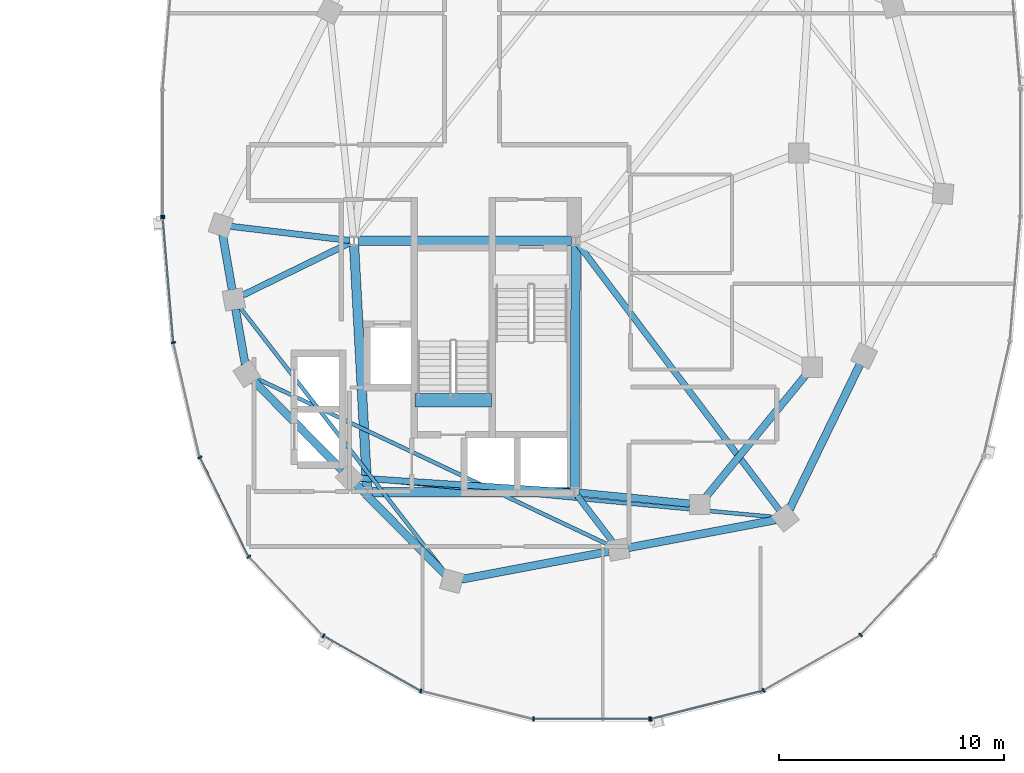
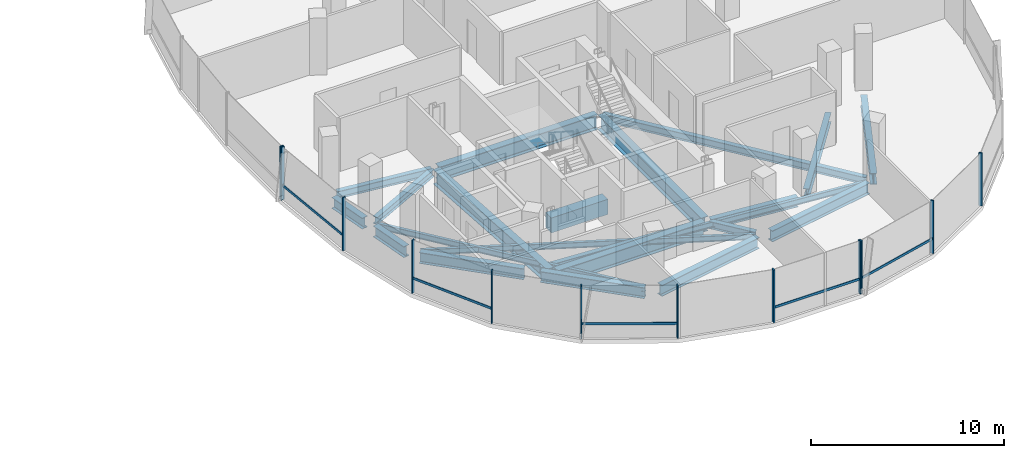
# One storey, part 8 of 25: 22 beams, 17 members, 3 elements without a shape of their own.
"""IFC4 building model written with IfcOpenShell, lengths in metres."""

from ifc_helpers import new_model, si_unit, direction, frame, origin, origin_2d, place, context, subcontext, project, spatial, rectangle, i_section, extrude, material, material_profile, profile_set, type_object, element, aggregate, save


model = new_model("IFC4")

# Units and contexts
model_context = context("Model", 3, precision=1e-05, world=origin(), true_north=direction((0.0, 1.0)))
body_context = subcontext(model_context, "Body", "Model", "MODEL_VIEW")
ifc_project = project(units=[si_unit("LENGTHUNIT", "METRE"), si_unit("AREAUNIT", "SQUARE_METRE"), si_unit("VOLUMEUNIT", "CUBIC_METRE"), si_unit("PLANEANGLEUNIT", "RADIAN"), si_unit("MASSUNIT", "GRAM", prefix="KILO"), si_unit("THERMODYNAMICTEMPERATUREUNIT", "KELVIN"), si_unit("POWERUNIT", "WATT")], contexts=[model_context])

# Site, building, storey
site_placement = place(None, origin())
site = spatial("IfcSite", under=ifc_project, at=site_placement, CompositionType="ELEMENT")
building_placement = place(site_placement, origin())
building = spatial("IfcBuilding", under=site, at=building_placement, Name="Cundina Bronze Exchange", CompositionType="ELEMENT")
storey_placement = place(building_placement, frame((0.0, 0.0, 224.199951171875)))
storey = spatial("IfcBuildingStorey", under=building, at=storey_placement, Name="L59", CompositionType="ELEMENT", Elevation=224.199951171875)

# Beams
ifc_material_1 = material(Name="Concrete C60/75", Category="concrete")
ifc_material_profile_1 = material_profile(ifc_material_1, rectangle(XDim=0.60009765625, YDim=0.949951171875, at=origin_2d()), Name="RC600X950", Category="concrete")
ifc_profile_set_1 = profile_set([ifc_material_profile_1], Name="Concrete C60/75")
beam_type_1 = type_object("IfcBeamType", Name="BM-COUP-RC950", PredefinedType="LINTEL", material=ifc_profile_set_1)
beam_1_placement = place(storey_placement, frame((24.159912109375, -10.97998046875, -0.474853515625), z_axis=(1.0, 0.0, 0.0), x_axis=(0.0, 1.0, 0.0)))
element("IfcBeam", 1, at=beam_1_placement, inside=storey, type_object=beam_type_1, Name="L59 Stair E2 Landing Header Beam", PredefinedType="LINTEL", context=body_context, shape_type="SweptSolid", body=[
    extrude(rectangle(XDim=0.60009765625, YDim=0.949951171875, at=origin_2d()), origin(), (0.0, 0.0, 1.0), 3.400146484375),
])
ifc_material_2 = material(Name="Steel ASTM A992 Grade 50", Category="steel")
ifc_material_profile_2 = material_profile(ifc_material_2, i_section(OverallWidth=0.280029296875, OverallDepth=0.462890625, WebThickness=0.0107421875, FlangeThickness=0.017333984375, FilletRadius=0.011962890625, at=origin_2d()), Name="W18X76", Category="steel")
ifc_profile_set_2 = profile_set([ifc_material_profile_2], Name="Steel ASTM A992 Grade 50")
beam_type_2 = type_object("IfcBeamType", Name="BM-FLR-W18A", PredefinedType="BEAM", material=ifc_profile_set_2)
beam_2_placement = place(storey_placement, frame((21.25537109375, -3.876953125, -0.491455078125), z_axis=(-0.993036786722, 0.117804669761, 0.0), x_axis=(-0.117804669761, -0.993036786722, 0.0)))
element("IfcBeam", 2, at=beam_2_placement, inside=storey, type_object=beam_type_2, Name="L59 Leg E Chordal Floor Beam 00", PredefinedType="BEAM", context=body_context, shape_type="SweptSolid", body=[
    extrude(i_section(OverallWidth=0.280029296875, OverallDepth=0.462890625, WebThickness=0.0107421875, FlangeThickness=0.017333984375, FilletRadius=0.011962890625, at=origin_2d()), origin(), (0.0, 0.0, 1.0), 5.307373046875),
])
beam_3_placement = place(storey_placement, frame((21.27392578125, -3.986083984375, -0.491455078125), z_axis=(-0.898613202677, -0.438741737214, 0.0), x_axis=(0.438741737214, -0.898613202677, 0.0)))
element("IfcBeam", 3, at=beam_3_placement, inside=storey, type_object=beam_type_2, Name="L59 Leg E Chordal Floor Beam 01", PredefinedType="BEAM", context=body_context, shape_type="SweptSolid", body=[
    extrude(i_section(OverallWidth=0.280029296875, OverallDepth=0.462890625, WebThickness=0.0107421875, FlangeThickness=0.017333984375, FilletRadius=0.011962890625, at=origin_2d()), origin(), (0.0, 0.0, 1.0), 5.2919921875),
])
beam_4_placement = place(storey_placement, frame((31.054443359375, -15.037353515625, -0.491455078125), z_axis=(-0.997894145252, 0.064863509559, 0.0), x_axis=(-0.064863509559, -0.997894145252, 0.0)))
element("IfcBeam", 4, at=beam_4_placement, inside=storey, type_object=beam_type_2, Name="L59 Leg E Chordal Floor Beam 03", PredefinedType="BEAM", context=body_context, shape_type="SweptSolid", body=[
    extrude(i_section(OverallWidth=0.280029296875, OverallDepth=0.462890625, WebThickness=0.0107421875, FlangeThickness=0.017333984375, FilletRadius=0.011962890625, at=origin_2d()), origin(), (0.0, 0.0, 1.0), 9.38720703125),
])
beam_5_placement = place(storey_placement, frame((31.369140625, -15.205810546875, -0.491455078125), z_axis=(0.60740437517, -0.794392802727, 0.0), x_axis=(0.794392802727, 0.60740437517, 0.0)))
element("IfcBeam", 5, at=beam_5_placement, inside=storey, type_object=beam_type_2, Name="L59 Leg E Chordal Floor Beam 05", PredefinedType="BEAM", context=body_context, shape_type="SweptSolid", body=[
    extrude(i_section(OverallWidth=0.280029296875, OverallDepth=0.462890625, WebThickness=0.0107421875, FlangeThickness=0.017333984375, FilletRadius=0.011962890625, at=origin_2d()), origin(), (0.0, 0.0, 1.0), 2.575927734375),
])
beam_6_placement = place(storey_placement, frame((31.418212890625, -4.056396484375, -0.491455078125), z_axis=(0.603104943786, -0.797661849897, 0.0), x_axis=(0.797661849897, 0.603104943786, 0.0)))
element("IfcBeam", 6, at=beam_6_placement, inside=storey, type_object=beam_type_2, Name="L59 Leg E Chordal Floor Beam 06", PredefinedType="BEAM", context=body_context, shape_type="SweptSolid", body=[
    extrude(i_section(OverallWidth=0.280029296875, OverallDepth=0.462890625, WebThickness=0.0107421875, FlangeThickness=0.017333984375, FilletRadius=0.011962890625, at=origin_2d()), origin(), (0.0, 0.0, 1.0), 14.785888671875),
])
ifc_material_profile_3 = material_profile(ifc_material_2, i_section(OverallWidth=0.172119140625, OverallDepth=0.35791015625, WebThickness=0.0078125, FlangeThickness=0.01318359375, FilletRadius=0.010009765625, at=origin_2d()), Name="W14X38", Category="steel")
ifc_profile_set_3 = profile_set([ifc_material_profile_3], Name="Steel ASTM A992 Grade 50")
beam_type_3 = type_object("IfcBeamType", Name="BM-JST-W14", PredefinedType="JOIST", material=ifc_profile_set_3)
beam_7_placement = place(storey_placement, frame((16.39306640625, -6.846435546875, -0.43896484375), z_axis=(0.612085793291, -0.790791364174, 0.0), x_axis=(0.790791364174, 0.612085793291, 0.0)))
element("IfcBeam", 7, at=beam_7_placement, inside=storey, type_object=beam_type_3, Name="L59 Leg E Lobe Floor Joist 01-04", PredefinedType="JOIST", context=body_context, shape_type="SweptSolid", body=[
    extrude(i_section(OverallWidth=0.172119140625, OverallDepth=0.35791015625, WebThickness=0.0078125, FlangeThickness=0.01318359375, FilletRadius=0.010009765625, at=origin_2d()), origin(), (0.0, 0.0, 1.0), 14.9306640625),
])
beam_8_placement = place(storey_placement, frame((17.095947265625, -9.9873046875, -0.43896484375), z_axis=(0.904073747204, -0.427376484632, 0.0), x_axis=(0.427376484632, 0.904073747204, 0.0)))
element("IfcBeam", 8, at=beam_8_placement, inside=storey, type_object=beam_type_3, Name="L59 Leg E Lobe Floor Joist 02-05", PredefinedType="JOIST", context=body_context, shape_type="SweptSolid", body=[
    extrude(i_section(OverallWidth=0.172119140625, OverallDepth=0.35791015625, WebThickness=0.0078125, FlangeThickness=0.01318359375, FilletRadius=0.010009765625, at=origin_2d()), origin(), (0.0, 0.0, 1.0), 17.374755859375),
])
beam_9_placement = place(storey_placement, frame((21.68603515625, -14.440673828125, -0.43896484375), z_axis=(0.9957017803, -0.092617302415, 0.0), x_axis=(0.092617302415, 0.9957017803, 0.0)))
element("IfcBeam", 9, at=beam_9_placement, inside=storey, type_object=beam_type_3, Name="L59 Leg E Lobe Floor Joist 03-06", PredefinedType="JOIST", context=body_context, shape_type="SweptSolid", body=[
    extrude(i_section(OverallWidth=0.172119140625, OverallDepth=0.35791015625, WebThickness=0.0078125, FlangeThickness=0.01318359375, FilletRadius=0.010009765625, at=origin_2d()), origin(), (0.0, 0.0, 1.0), 18.5576171875),
])
ifc_material_profile_4 = material_profile(ifc_material_2, i_section(OverallWidth=0.324951171875, OverallDepth=0.615966796875, WebThickness=0.013916015625, FlangeThickness=0.021484375, FilletRadius=0.01611328125, at=origin_2d()), Name="W24X117", Category="steel")
ifc_profile_set_4 = profile_set([ifc_material_profile_4], Name="Steel ASTM A992 Grade 50")
beam_type_4 = type_object("IfcBeamType", Name="BM-RING-W24", PredefinedType="USERDEFINED", material=ifc_profile_set_4)
beam_10_placement = place(storey_placement, frame((31.445068359375, -15.0693359375, -0.56787109375), z_axis=(0.995123854478, -0.09863323096, 0.0), x_axis=(0.09863323096, 0.995123854478, 0.0)))
element("IfcBeam", 10, at=beam_10_placement, inside=storey, type_object=beam_type_4, Name="L59 E Inner Structural Ring Girder 01", ObjectType="GIRDER", PredefinedType="USERDEFINED", context=body_context, shape_type="SweptSolid", body=[
    extrude(i_section(OverallWidth=0.324951171875, OverallDepth=0.615966796875, WebThickness=0.013916015625, FlangeThickness=0.021484375, FilletRadius=0.01611328125, at=origin_2d()), origin(), (0.0, 0.0, 1.0), 4.943115234375),
])
beam_11_placement = place(storey_placement, frame((37.07763671875, -15.26123046875, -0.56787109375), z_axis=(0.633912590175, 0.77340469873, 0.0), x_axis=(-0.77340469873, 0.633912590175, 0.0)))
element("IfcBeam", 11, at=beam_11_placement, inside=storey, type_object=beam_type_4, Name="L59 E Inner Structural Ring Girder 02", ObjectType="GIRDER", PredefinedType="USERDEFINED", context=body_context, shape_type="SweptSolid", body=[
    extrude(i_section(OverallWidth=0.324951171875, OverallDepth=0.615966796875, WebThickness=0.013916015625, FlangeThickness=0.021484375, FilletRadius=0.01611328125, at=origin_2d()), origin(), (0.0, 0.0, 1.0), 7.01123046875),
])
ifc_material_profile_5 = material_profile(ifc_material_2, i_section(OverallWidth=0.35498046875, OverallDepth=0.695068359375, WebThickness=0.015380859375, FlangeThickness=0.02490234375, FilletRadius=0.01806640625, at=origin_2d()), Name="W27X146", Category="steel")
ifc_profile_set_5 = profile_set([ifc_material_profile_5], Name="Steel ASTM A992 Grade 50")
beam_type_5 = type_object("IfcBeamType", Name="BM-RING-W27", PredefinedType="USERDEFINED", material=ifc_profile_set_5)
for number, where, z_axis, x_axis, name in (
    (12, (15.625244140625, -3.631591796875, -0.607421875), (0.171628556628, -0.985161732179, 0.0), (0.985161732179, 0.171628556628, 0.0), "L59 E Perimeter Ring Girder 00"),
    (13, (16.2001953125, -6.931396484375, -0.607421875), (0.171628556628, -0.985161732179, 0.0), (0.985161732179, 0.171628556628, 0.0), "L59 E Perimeter Ring Girder 01"),
):
    element("IfcBeam", number, at=place(storey_placement, frame(where, z_axis=z_axis, x_axis=x_axis)), inside=storey, type_object=beam_type_5, Name=name, ObjectType="GIRDER", PredefinedType="USERDEFINED", context=body_context, shape_type="SweptSolid", body=[
        extrude(i_section(OverallWidth=0.35498046875, OverallDepth=0.695068359375, WebThickness=0.015380859375, FlangeThickness=0.02490234375, FilletRadius=0.01806640625, at=origin_2d()), origin(), (0.0, 0.0, 1.0), 2.4736328125),
    ])
for number, where, z_axis, x_axis, name in (
    (14, (17.008056640625, -10.111328125, -0.607421875), (0.703211928763, -0.710980297368, 0.0), (0.710980297368, 0.703211928763, 0.0), "L59 E Perimeter Ring Girder 02"),
    (15, (21.55810546875, -14.71142578125, -0.607421875), (0.703211928763, -0.710980297368, 0.0), (0.710980297368, 0.703211928763, 0.0), "L59 E Perimeter Ring Girder 03"),
):
    element("IfcBeam", number, at=place(storey_placement, frame(where, z_axis=z_axis, x_axis=x_axis)), inside=storey, type_object=beam_type_5, Name=name, ObjectType="GIRDER", PredefinedType="USERDEFINED", context=body_context, shape_type="SweptSolid", body=[
        extrude(i_section(OverallWidth=0.35498046875, OverallDepth=0.695068359375, WebThickness=0.015380859375, FlangeThickness=0.02490234375, FilletRadius=0.01806640625, at=origin_2d()), origin(), (0.0, 0.0, 1.0), 5.593994140625),
    ])
beam_12_placement = place(storey_placement, frame((26.23046875, -18.918701171875, -0.607421875), z_axis=(0.982565174657, 0.185918470175, 0.0), x_axis=(-0.185918470175, 0.982565174657, 0.0)))
element("IfcBeam", 16, at=beam_12_placement, inside=storey, type_object=beam_type_5, Name="L59 E Perimeter Ring Girder 04", ObjectType="GIRDER", PredefinedType="USERDEFINED", context=body_context, shape_type="SweptSolid", body=[
    extrude(i_section(OverallWidth=0.35498046875, OverallDepth=0.695068359375, WebThickness=0.015380859375, FlangeThickness=0.02490234375, FilletRadius=0.01806640625, at=origin_2d()), origin(), (0.0, 0.0, 1.0), 6.655029296875),
])
beam_13_placement = place(storey_placement, frame((33.63037109375, -17.5185546875, -0.607421875), z_axis=(0.982573143022, 0.185876353022, 0.0), x_axis=(-0.185876353022, 0.982573143022, 0.0)))
element("IfcBeam", 17, at=beam_13_placement, inside=storey, type_object=beam_type_5, Name="L59 E Perimeter Ring Girder 05", ObjectType="GIRDER", PredefinedType="USERDEFINED", context=body_context, shape_type="SweptSolid", body=[
    extrude(i_section(OverallWidth=0.35498046875, OverallDepth=0.695068359375, WebThickness=0.015380859375, FlangeThickness=0.02490234375, FilletRadius=0.01806640625, at=origin_2d()), origin(), (0.0, 0.0, 1.0), 6.6552734375),
])
beam_14_placement = place(storey_placement, frame((40.79150390625, -15.80615234375, -0.607421875), z_axis=(0.437173087764, 0.89937739094, 0.0), x_axis=(-0.89937739094, 0.437173087764, 0.0)))
element("IfcBeam", 18, at=beam_14_placement, inside=storey, type_object=beam_type_5, Name="L59 E Perimeter Ring Girder 06", ObjectType="GIRDER", PredefinedType="USERDEFINED", context=body_context, shape_type="SweptSolid", body=[
    extrude(i_section(OverallWidth=0.35498046875, OverallDepth=0.695068359375, WebThickness=0.015380859375, FlangeThickness=0.02490234375, FilletRadius=0.01806640625, at=origin_2d()), origin(), (0.0, 0.0, 1.0), 7.1298828125),
])
ifc_material_profile_6 = material_profile(ifc_material_2, i_section(OverallWidth=0.41796875, OverallDepth=0.927001953125, WebThickness=0.019287109375, FlangeThickness=0.031982421875, FilletRadius=0.02392578125, at=origin_2d()), Name="W36X231", Category="steel")
ifc_profile_set_6 = profile_set([ifc_material_profile_6], Name="Steel ASTM A992 Grade 50")
beam_type_6 = type_object("IfcBeamType", Name="BM-WRN-W36B", PredefinedType="USERDEFINED", material=ifc_profile_set_6)
beam_15_placement = place(storey_placement, frame((31.10400390625, -3.89990234375, -0.723388671875), z_axis=(-1.0, 0.0, 0.0), x_axis=(0.0, -1.0, 0.0)))
element("IfcBeam", 19, at=beam_15_placement, inside=storey, type_object=beam_type_6, Name="L59 E Core Perimeter Tie Girder 1", ObjectType="GIRDER", PredefinedType="USERDEFINED", context=body_context, shape_type="SweptSolid", body=[
    extrude(i_section(OverallWidth=0.41796875, OverallDepth=0.927001953125, WebThickness=0.019287109375, FlangeThickness=0.031982421875, FilletRadius=0.02392578125, at=origin_2d()), origin(), (0.0, 0.0, 1.0), 9.4580078125),
])
beam_16_placement = place(storey_placement, frame((21.46044921875, -4.095703125, -0.723388671875), z_axis=(0.053749317644, -0.998554460634, 0.0), x_axis=(0.998554460634, 0.053749317644, 0.0)))
element("IfcBeam", 20, at=beam_16_placement, inside=storey, type_object=beam_type_6, Name="L59 E Core Perimeter Tie Girder 2", ObjectType="GIRDER", PredefinedType="USERDEFINED", context=body_context, shape_type="SweptSolid", body=[
    extrude(i_section(OverallWidth=0.41796875, OverallDepth=0.927001953125, WebThickness=0.019287109375, FlangeThickness=0.031982421875, FilletRadius=0.02392578125, at=origin_2d()), origin(), (0.0, 0.0, 1.0), 10.774169921875),
])
beam_17_placement = place(storey_placement, frame((22.24609375, -15.050048828125, -0.723388671875), z_axis=(1.0, 0.0, 0.0), x_axis=(0.0, 1.0, 0.0)))
element("IfcBeam", 21, at=beam_17_placement, inside=storey, type_object=beam_type_6, Name="L59 E Core Perimeter Tie Girder 3", ObjectType="GIRDER", PredefinedType="USERDEFINED", context=body_context, shape_type="SweptSolid", body=[
    extrude(i_section(OverallWidth=0.41796875, OverallDepth=0.927001953125, WebThickness=0.019287109375, FlangeThickness=0.031982421875, FilletRadius=0.02392578125, at=origin_2d()), origin(), (0.0, 0.0, 1.0), 8.807861328125),
])
beam_18_placement = place(storey_placement, frame((31.2509765625, -14.85400390625, -0.723388671875), z_axis=(0.004470623654, 0.999990006712, 0.0), x_axis=(-0.999990006712, 0.004470623654, 0.0)))
element("IfcBeam", 22, at=beam_18_placement, inside=storey, type_object=beam_type_6, Name="L59 E Core Perimeter Tie Girder 4", ObjectType="GIRDER", PredefinedType="USERDEFINED", context=body_context, shape_type="SweptSolid", body=[
    extrude(i_section(OverallWidth=0.41796875, OverallDepth=0.927001953125, WebThickness=0.019287109375, FlangeThickness=0.031982421875, FilletRadius=0.02392578125, at=origin_2d()), origin(), (0.0, 0.0, 1.0), 10.758056640625),
])

# Curtain wall, member
ifc_material_3 = material(Name="Anodised Bronze Aluminium 6063-T6", Category="aluminium")
curtain_wall_type = type_object("IfcCurtainWallType", Name="CWS-UPP-OFF", PredefinedType="NOTDEFINED", material=ifc_material_3)
curtain_wall_1_placement = place(storey_placement, origin())
curtain_wall_1 = element("IfcCurtainWall", 23, at=curtain_wall_1_placement, inside=storey, type_object=curtain_wall_type, Name="L59 CW-05 Curtain Wall Run CWR-L59-E2", PredefinedType="NOTDEFINED")
ifc_material_profile_7 = material_profile(ifc_material_3, rectangle(XDim=0.070068359375, YDim=0.18994140625, at=origin_2d()), Name="AL70X190", Category="aluminium")
ifc_profile_set_7 = profile_set([ifc_material_profile_7], Name="Anodised Bronze Aluminium 6063-T6")
member_type_1 = type_object("IfcMemberType", Name="CWM-MUL-190", PredefinedType="MULLION", material=ifc_profile_set_7)
member_1_placement = place(storey_placement, frame((12.966064453125, -2.794921875, 0.0), z_axis=(0.0, 0.0, 1.0), x_axis=(0.0, -1.0, 0.0)))
member_1 = element("IfcMember", 24, at=member_1_placement, type_object=member_type_1, Name="CW-05 End Mullion", PredefinedType="MULLION", context=body_context, shape_type="SweptSolid", body=[
    extrude(rectangle(XDim=0.070068359375, YDim=0.18994140625, at=origin_2d()), origin(), (0.0, 0.0, 1.0), 3.340087890625),
])
aggregate(curtain_wall_1, [member_1])

# Curtain wall, members
curtain_wall_2_placement = place(storey_placement, origin())
curtain_wall_2 = element("IfcCurtainWall", 25, at=curtain_wall_2_placement, inside=storey, type_object=curtain_wall_type, Name="L59 CW-05 Curtain Wall Run CWR-L59-E3", PredefinedType="NOTDEFINED")
member_2_placement = place(storey_placement, frame((12.9697265625, -2.88330078125, 0.0), z_axis=(0.0, 0.0, 1.0), x_axis=(0.083677843332, -0.99649285925, 0.0)))
member_2 = element("IfcMember", 26, at=member_2_placement, type_object=member_type_1, Name="CW-05 Mullion 1", PredefinedType="MULLION", context=body_context, shape_type="SweptSolid", body=[
    extrude(rectangle(XDim=0.070068359375, YDim=0.18994140625, at=origin_2d()), origin(), (0.0, 0.0, 1.0), 3.340087890625),
])
member_3_placement = place(storey_placement, frame((13.43994140625, -8.4111328125, 0.0), z_axis=(0.0, 0.0, 1.0), x_axis=(0.223250116011, -0.974761194191, 0.0)))
member_3 = element("IfcMember", 27, at=member_3_placement, type_object=member_type_1, Name="CW-05 Mullion 2", PredefinedType="MULLION", context=body_context, shape_type="SweptSolid", body=[
    extrude(rectangle(XDim=0.070068359375, YDim=0.18994140625, at=origin_2d()), origin(), (0.0, 0.0, 1.0), 3.340087890625),
])
member_4_placement = place(storey_placement, frame((14.61572265625, -13.50732421875, 0.0), z_axis=(0.0, 0.0, 1.0), x_axis=(0.440566004113, -0.897720221461, 0.0)))
member_4 = element("IfcMember", 28, at=member_4_placement, type_object=member_type_1, Name="CW-05 Mullion 3", PredefinedType="MULLION", context=body_context, shape_type="SweptSolid", body=[
    extrude(rectangle(XDim=0.070068359375, YDim=0.18994140625, at=origin_2d()), origin(), (0.0, 0.0, 1.0), 3.340087890625),
])
member_5_placement = place(storey_placement, frame((16.790283203125, -17.91796875, 0.0), z_axis=(0.0, 0.0, 1.0), x_axis=(0.684292606175, -0.729207535023, 0.0)))
member_5 = element("IfcMember", 29, at=member_5_placement, type_object=member_type_1, Name="CW-05 Mullion 4", PredefinedType="MULLION", context=body_context, shape_type="SweptSolid", body=[
    extrude(rectangle(XDim=0.070068359375, YDim=0.18994140625, at=origin_2d()), origin(), (0.0, 0.0, 1.0), 3.340087890625),
])
member_6_placement = place(storey_placement, frame((20.100341796875, -21.43115234375, 0.0), z_axis=(0.0, 0.0, 1.0), x_axis=(0.86958112538, -0.493790103568, 0.0)))
member_6 = element("IfcMember", 30, at=member_6_placement, type_object=member_type_1, Name="CW-05 Mullion 5", PredefinedType="MULLION", context=body_context, shape_type="SweptSolid", body=[
    extrude(rectangle(XDim=0.070068359375, YDim=0.18994140625, at=origin_2d()), origin(), (0.0, 0.0, 1.0), 3.340087890625),
])
member_7_placement = place(storey_placement, frame((24.422607421875, -23.87548828125, 0.0), z_axis=(0.0, 0.0, 1.0), x_axis=(0.969744325821, -0.244122802168, 0.0)))
member_7 = element("IfcMember", 31, at=member_7_placement, type_object=member_type_1, Name="CW-05 Mullion 6", PredefinedType="MULLION", context=body_context, shape_type="SweptSolid", body=[
    extrude(rectangle(XDim=0.070068359375, YDim=0.18994140625, at=origin_2d()), origin(), (0.0, 0.0, 1.0), 3.340087890625),
])
member_8_placement = place(storey_placement, frame((29.419921875, -25.125, 0.0), z_axis=(0.0, 0.0, 1.0), x_axis=(1.0, 0.0, 0.0)))
member_8 = element("IfcMember", 32, at=member_8_placement, type_object=member_type_1, Name="CW-05 Mullion 7", PredefinedType="MULLION", context=body_context, shape_type="SweptSolid", body=[
    extrude(rectangle(XDim=0.070068359375, YDim=0.18994140625, at=origin_2d()), origin(), (0.0, 0.0, 1.0), 3.340087890625),
])
member_9_placement = place(storey_placement, frame((34.580078125, -25.125, 0.0), z_axis=(0.0, 0.0, 1.0), x_axis=(1.0, 0.0, 0.0)))
member_9 = element("IfcMember", 33, at=member_9_placement, type_object=member_type_1, Name="CW-05 End Mullion", PredefinedType="MULLION", context=body_context, shape_type="SweptSolid", body=[
    extrude(rectangle(XDim=0.070068359375, YDim=0.18994140625, at=origin_2d()), origin(), (0.0, 0.0, 1.0), 3.340087890625),
])

curtain_wall_3_placement = place(storey_placement, origin())
curtain_wall_3 = element("IfcCurtainWall", 34, at=curtain_wall_3_placement, inside=storey, type_object=curtain_wall_type, Name="L59 CW-05 Curtain Wall Run CWR-L59-E4", PredefinedType="NOTDEFINED")
member_10_placement = place(storey_placement, frame((34.6484375, -25.116455078125, 0.0), z_axis=(0.0, 0.0, 1.0), x_axis=(0.969744325821, 0.244122802168, 0.0)))
member_10 = element("IfcMember", 35, at=member_10_placement, type_object=member_type_1, Name="CW-05 Mullion 1", PredefinedType="MULLION", context=body_context, shape_type="SweptSolid", body=[
    extrude(rectangle(XDim=0.070068359375, YDim=0.18994140625, at=origin_2d()), origin(), (0.0, 0.0, 1.0), 3.340087890625),
])
member_11_placement = place(storey_placement, frame((39.638916015625, -23.850830078125, 0.0), z_axis=(0.0, 0.0, 1.0), x_axis=(0.86958112538, 0.493790103568, 0.0)))
member_11 = element("IfcMember", 36, at=member_11_placement, type_object=member_type_1, Name="CW-05 Mullion 2", PredefinedType="MULLION", context=body_context, shape_type="SweptSolid", body=[
    extrude(rectangle(XDim=0.070068359375, YDim=0.18994140625, at=origin_2d()), origin(), (0.0, 0.0, 1.0), 3.340087890625),
])
member_12_placement = place(storey_placement, frame((43.94873046875, -21.392578125, 0.0), z_axis=(0.0, 0.0, 1.0), x_axis=(0.684292606175, 0.729207535023, 0.0)))
member_12 = element("IfcMember", 37, at=member_12_placement, type_object=member_type_1, Name="CW-05 Mullion 3", PredefinedType="MULLION", context=body_context, shape_type="SweptSolid", body=[
    extrude(rectangle(XDim=0.070068359375, YDim=0.18994140625, at=origin_2d()), origin(), (0.0, 0.0, 1.0), 3.340087890625),
])

# Member
ifc_material_profile_8 = material_profile(ifc_material_3, rectangle(XDim=0.06494140625, YDim=0.14990234375, at=origin_2d()), Name="AL65X150", Category="aluminium")
ifc_profile_set_8 = profile_set([ifc_material_profile_8], Name="Anodised Bronze Aluminium 6063-T6")
member_type_2 = type_object("IfcMemberType", Name="CWM-TRN-150", PredefinedType="USERDEFINED", material=ifc_profile_set_8)
member_13_placement = place(storey_placement, frame((12.972900390625, -2.921630859375, 0.920166015625), z_axis=(0.083740331158, -0.996487610027, 0.0), x_axis=(0.996487610027, 0.083740331158, 0.0)))
member_13 = element("IfcMember", 38, at=member_13_placement, type_object=member_type_2, Name="CW-05 Spandrel Transom 1", ObjectType="TRANSOM", PredefinedType="USERDEFINED", context=body_context, shape_type="SweptSolid", body=[
    extrude(rectangle(XDim=0.06494140625, YDim=0.14990234375, at=origin_2d()), origin(), (0.0, 0.0, 1.0), 5.466552734375),
])

member_14_placement = place(storey_placement, frame((14.6328125, -13.5419921875, 0.920166015625), z_axis=(0.440483110889, -0.897760897467, 0.0), x_axis=(0.897760897467, 0.440483110889, 0.0)))
member_14 = element("IfcMember", 39, at=member_14_placement, type_object=member_type_2, Name="CW-05 Spandrel Transom 3", ObjectType="TRANSOM", PredefinedType="USERDEFINED", context=body_context, shape_type="SweptSolid", body=[
    extrude(rectangle(XDim=0.06494140625, YDim=0.14990234375, at=origin_2d()), origin(), (0.0, 0.0, 1.0), 4.855224609375),
])

member_15_placement = place(storey_placement, frame((20.1337890625, -21.4501953125, 0.920166015625), z_axis=(0.869573748083, -0.493803095013, 0.0), x_axis=(0.493803095013, 0.869573748083, 0.0)))
member_15 = element("IfcMember", 40, at=member_15_placement, type_object=member_type_2, Name="CW-05 Spandrel Transom 5", ObjectType="TRANSOM", PredefinedType="USERDEFINED", context=body_context, shape_type="SweptSolid", body=[
    extrude(rectangle(XDim=0.06494140625, YDim=0.14990234375, at=origin_2d()), origin(), (0.0, 0.0, 1.0), 4.900146484375),
])

member_16_placement = place(storey_placement, frame((29.45849609375, -25.125, 0.920166015625), z_axis=(1.0, 0.0, 0.0), x_axis=(0.0, 1.0, 0.0)))
member_16 = element("IfcMember", 41, at=member_16_placement, type_object=member_type_2, Name="CW-05 Spandrel Transom 7", ObjectType="TRANSOM", PredefinedType="USERDEFINED", context=body_context, shape_type="SweptSolid", body=[
    extrude(rectangle(XDim=0.06494140625, YDim=0.14990234375, at=origin_2d()), origin(), (0.0, 0.0, 1.0), 5.0830078125),
])

aggregate(curtain_wall_2, [member_2, member_13, member_3, member_4, member_14, member_5, member_6, member_15, member_7, member_8, member_9, member_16])

member_17_placement = place(storey_placement, frame((34.685791015625, -25.107177734375, 0.920166015625), z_axis=(0.969725738797, 0.244196624699, 0.0), x_axis=(-0.244196624699, 0.969725738797, 0.0)))
member_17 = element("IfcMember", 42, at=member_17_placement, type_object=member_type_2, Name="CW-05 Spandrel Transom 1", ObjectType="TRANSOM", PredefinedType="USERDEFINED", context=body_context, shape_type="SweptSolid", body=[
    extrude(rectangle(XDim=0.06494140625, YDim=0.14990234375, at=origin_2d()), origin(), (0.0, 0.0, 1.0), 5.082763671875),
])

aggregate(curtain_wall_3, [member_10, member_17, member_11, member_12])

save(model, "model.ifc")
